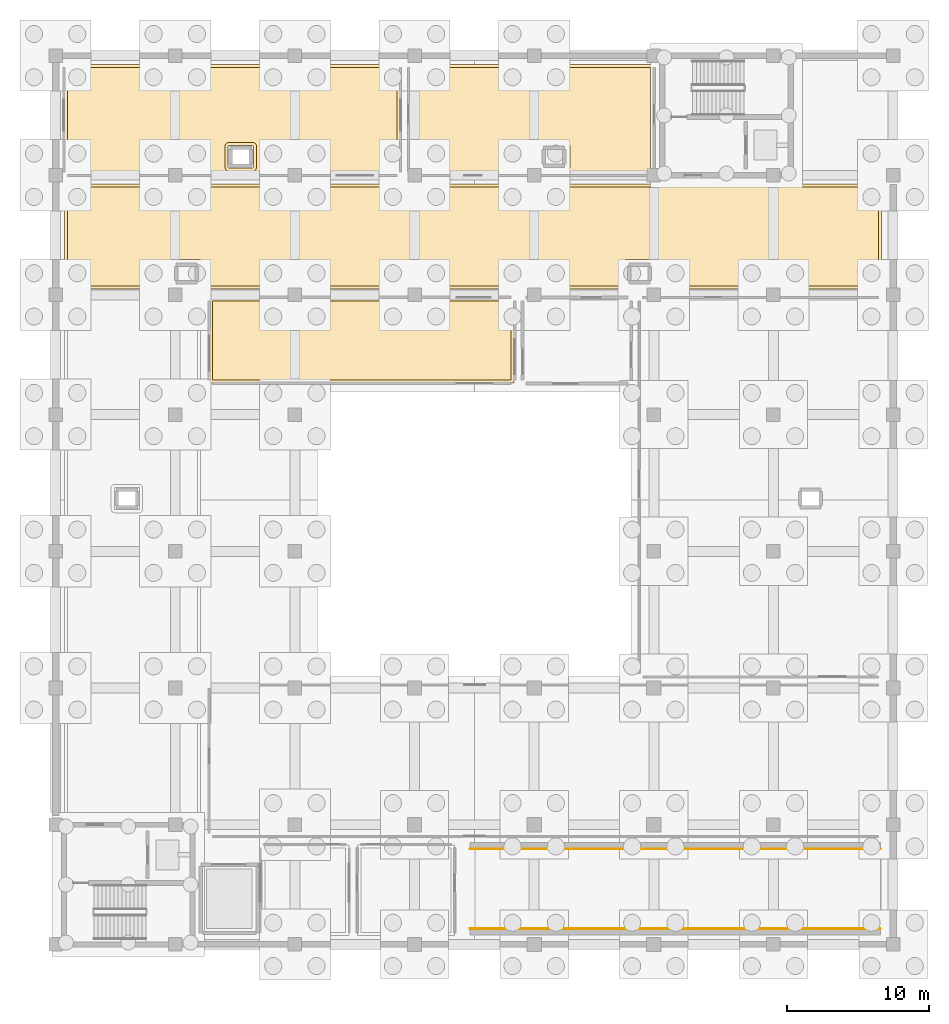
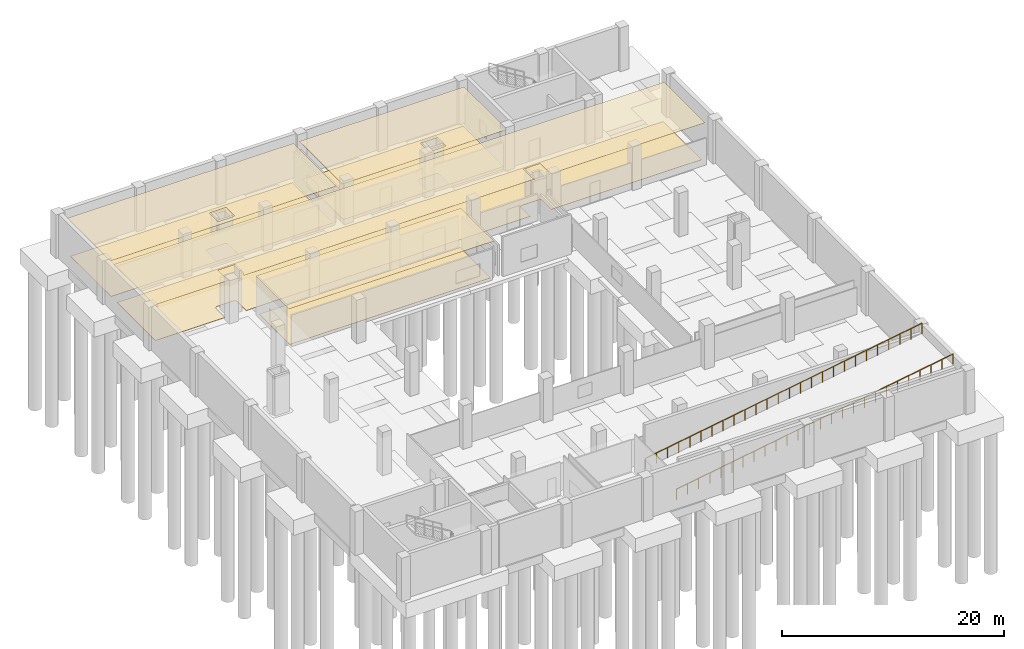
# One storey, part 10 of 12: 8 coverings, 2 railings.
"""IFC4 building model written with IfcOpenShell, lengths in metres."""

from ifc_helpers import new_model, si_unit, direction, frame, origin, origin_2d, place, context, subcontext, project, spatial, polyline, circle, outline, extrude, material, layer, layer_set, type_object, element, save


model = new_model("IFC4")

# Units and contexts
model_context = context("Model", 3, precision=1e-05, world=origin(), true_north=direction((0.0, 1.0)))
body_context = subcontext(model_context, "Body", "Model", "MODEL_VIEW")
ifc_project = project(units=[si_unit("LENGTHUNIT", "METRE"), si_unit("AREAUNIT", "SQUARE_METRE"), si_unit("VOLUMEUNIT", "CUBIC_METRE"), si_unit("PLANEANGLEUNIT", "RADIAN"), si_unit("MASSUNIT", "GRAM", prefix="KILO")], contexts=[model_context])

# Site, building, storey
site_placement = place(None, origin())
site = spatial("IfcSite", under=ifc_project, at=site_placement, CompositionType="ELEMENT")
building_placement = place(site_placement, origin())
building = spatial("IfcBuilding", under=site, at=building_placement, Name="Zulmaris Art Gallery", CompositionType="ELEMENT")
storey_placement = place(building_placement, frame((0.0, 0.0, -4.800048828125)))
storey = spatial("IfcBuildingStorey", under=building, at=storey_placement, Name="B1", CompositionType="ELEMENT", Elevation=-4.800048828125)

# Coverings
ifc_material_1 = material(Name="Micro-Perforated Gypsum Acoustic Ceiling", Category="gypsum")
ifc_layer_1 = layer(ifc_material_1, 0.02490234375)
ifc_layer_set_1 = layer_set([ifc_layer_1], Name="Micro-Perforated Gypsum Acoustic Ceiling")
covering_type_1 = type_object("IfcCoveringType", Name="COV-CL01", PredefinedType="CEILING", material=ifc_layer_set_1)
covering_1_placement = place(storey_placement, frame((0.0, 0.0, 4.130126953125)))
element("IfcCovering", 1, at=covering_1_placement, inside=storey, type_object=covering_type_1, Name="Basement North Core Corridor acoustic ceiling", PredefinedType="CEILING", context=body_context, shape_type="SweptSolid", body=[
    extrude(outline(polyline([(199.590087890625, 66.590087890625), (199.590087890625, 59.2099609375), (183.28076171875, 59.2099609375), (183.476318359375, 59.535888671875), (183.4775390625, 59.53857421875), (183.478515625, 59.54150390625), (183.479248046875, 59.544189453125), (183.4794921875, 59.547119140625), (183.47998046875, 59.555419921875), (183.47998046875, 61.044677734375), (183.4794921875, 61.052978515625), (183.479248046875, 61.055908203125), (183.478515625, 61.05859375), (183.4775390625, 61.061279296875), (183.476318359375, 61.06396484375), (183.474609375, 61.06640625), (183.472900390625, 61.06884765625), (183.470947265625, 61.071044921875), (183.468994140625, 61.072998046875), (183.466552734375, 61.07470703125), (183.464111328125, 61.076171875), (183.46142578125, 61.077392578125), (183.45849609375, 61.07861328125), (183.455810546875, 61.0791015625), (183.452880859375, 61.07958984375), (183.444580078125, 61.080078125), (181.75537109375, 61.080078125), (181.7470703125, 61.07958984375), (181.744140625, 61.0791015625), (181.741455078125, 61.07861328125), (181.738525390625, 61.077392578125), (181.736083984375, 61.076171875), (181.7333984375, 61.07470703125), (181.731201171875, 61.072998046875), (181.72900390625, 61.071044921875), (181.72705078125, 61.06884765625), (181.725341796875, 61.06640625), (181.723876953125, 61.06396484375), (181.722412109375, 61.061279296875), (181.721435546875, 61.05859375), (181.720703125, 61.055908203125), (181.720458984375, 61.052978515625), (181.719970703125, 61.044677734375), (181.719970703125, 59.555419921875), (181.720458984375, 59.547119140625), (181.720703125, 59.544189453125), (181.721435546875, 59.54150390625), (181.722412109375, 59.53857421875), (181.723876953125, 59.535888671875), (181.919189453125, 59.2099609375), (151.480712890625, 59.2099609375), (151.67626953125, 59.535888671875), (151.677490234375, 59.53857421875), (151.678466796875, 59.54150390625), (151.67919921875, 59.544189453125), (151.6796875, 59.547119140625), (151.679931640625, 59.555419921875), (151.679931640625, 61.044677734375), (151.6796875, 61.052978515625), (151.67919921875, 61.055908203125), (151.678466796875, 61.05859375), (151.677490234375, 61.061279296875), (151.67626953125, 61.06396484375), (151.6748046875, 61.06640625), (151.673095703125, 61.06884765625), (151.6708984375, 61.071044921875), (151.6689453125, 61.072998046875), (151.66650390625, 61.07470703125), (151.6640625, 61.076171875), (151.661376953125, 61.077392578125), (151.65869140625, 61.07861328125), (151.65576171875, 61.0791015625), (151.65283203125, 61.07958984375), (151.64453125, 61.080078125), (149.955322265625, 61.080078125), (149.947021484375, 61.07958984375), (149.944091796875, 61.0791015625), (149.94140625, 61.07861328125), (149.938720703125, 61.077392578125), (149.93603515625, 61.076171875), (149.93359375, 61.07470703125), (149.93115234375, 61.072998046875), (149.928955078125, 61.071044921875), (149.927001953125, 61.06884765625), (149.92529296875, 61.06640625), (149.923828125, 61.06396484375), (149.922607421875, 61.061279296875), (149.92138671875, 61.05859375), (149.9208984375, 61.055908203125), (149.92041015625, 61.052978515625), (149.919921875, 61.044677734375), (149.919921875, 59.555419921875), (149.92041015625, 59.547119140625), (149.9208984375, 59.544189453125), (149.92138671875, 59.54150390625), (149.922607421875, 59.53857421875), (149.923828125, 59.535888671875), (150.119140625, 59.2099609375), (142.2099609375, 59.2099609375), (142.2099609375, 66.590087890625), (199.590087890625, 66.590087890625)])), origin(), (0.0, 0.0, 1.0), 0.030029296875),
])
covering_2_placement = place(storey_placement, frame((0.0, 0.0, 4.130126953125)))
element("IfcCovering", 2, at=covering_2_placement, inside=storey, type_object=covering_type_1, Name="Climate-Controlled Art Store 1 acoustic ceiling", PredefinedType="CEILING", context=body_context, shape_type="SweptSolid", body=[
    extrude(outline(polyline([(142.2099609375, 74.989990234375), (165.7900390625, 74.989990234375), (165.7900390625, 67.2099609375), (142.2099609375, 67.2099609375), (142.2099609375, 74.989990234375)]), holes=[polyline([(153.721435546875, 67.741455078125), (153.722412109375, 67.738525390625), (153.723876953125, 67.736083984375), (153.725341796875, 67.7333984375), (153.72705078125, 67.731201171875), (153.72900390625, 67.72900390625), (153.731201171875, 67.72705078125), (153.7333984375, 67.725341796875), (153.736083984375, 67.723876953125), (153.738525390625, 67.722412109375), (153.741455078125, 67.721435546875), (153.744140625, 67.720703125), (153.7470703125, 67.720458984375), (153.75537109375, 67.719970703125), (155.444580078125, 67.719970703125), (155.452880859375, 67.720458984375), (155.455810546875, 67.720703125), (155.45849609375, 67.721435546875), (155.46142578125, 67.722412109375), (155.464111328125, 67.723876953125), (155.466552734375, 67.725341796875), (155.468994140625, 67.72705078125), (155.470947265625, 67.72900390625), (155.472900390625, 67.731201171875), (155.474609375, 67.7333984375), (155.476318359375, 67.736083984375), (155.4775390625, 67.738525390625), (155.478515625, 67.741455078125), (155.479248046875, 67.744140625), (155.4794921875, 67.7470703125), (155.47998046875, 67.75537109375), (155.47998046875, 69.24462890625), (155.4794921875, 69.2529296875), (155.479248046875, 69.255859375), (155.478515625, 69.258544921875), (155.4775390625, 69.261474609375), (155.476318359375, 69.263916015625), (155.474609375, 69.2666015625), (155.472900390625, 69.268798828125), (155.470947265625, 69.27099609375), (155.468994140625, 69.27294921875), (155.466552734375, 69.274658203125), (155.464111328125, 69.276123046875), (155.46142578125, 69.277587890625), (155.45849609375, 69.278564453125), (155.455810546875, 69.279296875), (155.452880859375, 69.279541015625), (155.444580078125, 69.280029296875), (153.75537109375, 69.280029296875), (153.7470703125, 69.279541015625), (153.744140625, 69.279296875), (153.741455078125, 69.278564453125), (153.738525390625, 69.277587890625), (153.736083984375, 69.276123046875), (153.7333984375, 69.274658203125), (153.731201171875, 69.27294921875), (153.72900390625, 69.27099609375), (153.72705078125, 69.268798828125), (153.725341796875, 69.2666015625), (153.723876953125, 69.263916015625), (153.722412109375, 69.261474609375), (153.721435546875, 69.258544921875), (153.720703125, 69.255859375), (153.720458984375, 69.2529296875), (153.719970703125, 69.24462890625), (153.719970703125, 67.75537109375), (153.720458984375, 67.7470703125), (153.720703125, 67.744140625), (153.721435546875, 67.741455078125)])]), origin(), (0.0, 0.0, 1.0), 0.030029296875),
])
covering_3_placement = place(storey_placement, frame((0.0, 0.0, 4.130126953125)))
element("IfcCovering", 3, at=covering_3_placement, inside=storey, type_object=covering_type_1, Name="Cold Photographic Art Store acoustic ceiling", PredefinedType="CEILING", context=body_context, shape_type="SweptSolid", body=[
    extrude(outline(polyline([(166.409912109375, 74.989990234375), (183.590087890625, 74.989990234375), (183.590087890625, 67.2099609375), (166.409912109375, 67.2099609375), (166.409912109375, 74.989990234375)]), holes=[polyline([(175.741455078125, 69.278564453125), (175.738525390625, 69.277587890625), (175.736083984375, 69.276123046875), (175.7333984375, 69.274658203125), (175.731201171875, 69.27294921875), (175.72900390625, 69.27099609375), (175.72705078125, 69.268798828125), (175.725341796875, 69.2666015625), (175.723876953125, 69.263916015625), (175.722412109375, 69.261474609375), (175.721435546875, 69.258544921875), (175.720703125, 69.255859375), (175.720458984375, 69.2529296875), (175.719970703125, 69.24462890625), (175.719970703125, 67.75537109375), (175.720458984375, 67.7470703125), (175.720703125, 67.744140625), (175.721435546875, 67.741455078125), (175.722412109375, 67.738525390625), (175.723876953125, 67.736083984375), (175.725341796875, 67.7333984375), (175.72705078125, 67.731201171875), (175.72900390625, 67.72900390625), (175.731201171875, 67.72705078125), (175.7333984375, 67.725341796875), (175.736083984375, 67.723876953125), (175.738525390625, 67.722412109375), (175.741455078125, 67.721435546875), (175.744140625, 67.720703125), (175.7470703125, 67.720458984375), (175.75537109375, 67.719970703125), (177.444580078125, 67.719970703125), (177.452880859375, 67.720458984375), (177.455810546875, 67.720703125), (177.45849609375, 67.721435546875), (177.46142578125, 67.722412109375), (177.464111328125, 67.723876953125), (177.466552734375, 67.725341796875), (177.468994140625, 67.72705078125), (177.470947265625, 67.72900390625), (177.472900390625, 67.731201171875), (177.474609375, 67.7333984375), (177.476318359375, 67.736083984375), (177.4775390625, 67.738525390625), (177.478515625, 67.741455078125), (177.479248046875, 67.744140625), (177.4794921875, 67.7470703125), (177.47998046875, 67.75537109375), (177.47998046875, 69.24462890625), (177.4794921875, 69.2529296875), (177.479248046875, 69.255859375), (177.478515625, 69.258544921875), (177.4775390625, 69.261474609375), (177.476318359375, 69.263916015625), (177.474609375, 69.2666015625), (177.472900390625, 69.268798828125), (177.470947265625, 69.27099609375), (177.468994140625, 69.27294921875), (177.466552734375, 69.274658203125), (177.464111328125, 69.276123046875), (177.46142578125, 69.277587890625), (177.45849609375, 69.278564453125), (177.455810546875, 69.279296875), (177.452880859375, 69.279541015625), (177.444580078125, 69.280029296875), (175.75537109375, 69.280029296875), (175.7470703125, 69.279541015625), (175.744140625, 69.279296875), (175.741455078125, 69.278564453125)])]), origin(), (0.0, 0.0, 1.0), 0.030029296875),
])
covering_4_placement = place(storey_placement, frame((0.0, 0.0, 4.130126953125)))
element("IfcCovering", 4, at=covering_4_placement, inside=storey, type_object=covering_type_1, Name="Sculpture Crate Art Store acoustic ceiling", PredefinedType="CEILING", context=body_context, shape_type="SweptSolid", body=[
    extrude(outline(polyline([(152.409912109375, 58.590087890625), (173.7900390625, 58.590087890625), (173.7900390625, 52.610107421875), (152.409912109375, 52.610107421875), (152.409912109375, 58.590087890625)])), origin(), (0.0, 0.0, 1.0), 0.030029296875),
])
ifc_material_2 = material(Name="Honed Omani Limestone Terrazzo Flooring", Category="masonry")
ifc_layer_2 = layer(ifc_material_2, 0.0400390625)
ifc_layer_set_2 = layer_set([ifc_layer_2], Name="Honed Omani Limestone Terrazzo Flooring")
covering_type_2 = type_object("IfcCoveringType", Name="COV-FL01", PredefinedType="FLOORING", material=ifc_layer_set_2)
covering_5_placement = place(storey_placement, origin())
element("IfcCovering", 5, at=covering_5_placement, inside=storey, type_object=covering_type_2, Name="Basement North Core Corridor finish flooring", PredefinedType="FLOORING", context=body_context, shape_type="SweptSolid", body=[
    extrude(outline(polyline([(142.429931640625, 59.429931640625), (142.429931640625, 66.3701171875), (199.3701171875, 66.3701171875), (199.3701171875, 59.429931640625), (183.669189453125, 59.429931640625), (183.67041015625, 59.43212890625), (183.680908203125, 59.454345703125), (183.689208984375, 59.477294921875), (183.6953125, 59.501220703125), (183.69873046875, 59.525390625), (183.699951171875, 59.550048828125), (183.699951171875, 61.050048828125), (183.69873046875, 61.074462890625), (183.6953125, 61.098876953125), (183.689208984375, 61.12255859375), (183.680908203125, 61.145751953125), (183.67041015625, 61.167724609375), (183.657958984375, 61.18896484375), (183.643310546875, 61.20849609375), (183.626708984375, 61.226806640625), (183.608642578125, 61.243408203125), (183.5888671875, 61.2578125), (183.56787109375, 61.2705078125), (183.545654296875, 61.281005859375), (183.522705078125, 61.289306640625), (183.498779296875, 61.295166015625), (183.474609375, 61.298828125), (183.449951171875, 61.300048828125), (181.75, 61.300048828125), (181.7255859375, 61.298828125), (181.701171875, 61.295166015625), (181.677490234375, 61.289306640625), (181.654296875, 61.281005859375), (181.632080078125, 61.2705078125), (181.611083984375, 61.2578125), (181.59130859375, 61.243408203125), (181.5732421875, 61.226806640625), (181.556640625, 61.20849609375), (181.5419921875, 61.18896484375), (181.529541015625, 61.167724609375), (181.51904296875, 61.145751953125), (181.5107421875, 61.12255859375), (181.5048828125, 61.098876953125), (181.501220703125, 61.074462890625), (181.5, 61.050048828125), (181.5, 59.550048828125), (181.501220703125, 59.525390625), (181.5048828125, 59.501220703125), (181.5107421875, 59.477294921875), (181.51904296875, 59.454345703125), (181.529541015625, 59.43212890625), (181.53076171875, 59.429931640625), (151.869140625, 59.429931640625), (151.87060546875, 59.43212890625), (151.881103515625, 59.454345703125), (151.88916015625, 59.477294921875), (151.895263671875, 59.501220703125), (151.898681640625, 59.525390625), (151.89990234375, 59.550048828125), (151.89990234375, 61.050048828125), (151.898681640625, 61.074462890625), (151.895263671875, 61.098876953125), (151.88916015625, 61.12255859375), (151.881103515625, 61.145751953125), (151.87060546875, 61.167724609375), (151.85791015625, 61.18896484375), (151.84326171875, 61.20849609375), (151.826904296875, 61.226806640625), (151.80859375, 61.243408203125), (151.788818359375, 61.2578125), (151.767822265625, 61.2705078125), (151.74560546875, 61.281005859375), (151.72265625, 61.289306640625), (151.69873046875, 61.295166015625), (151.674560546875, 61.298828125), (151.64990234375, 61.300048828125), (149.949951171875, 61.300048828125), (149.925537109375, 61.298828125), (149.901123046875, 61.295166015625), (149.87744140625, 61.289306640625), (149.854248046875, 61.281005859375), (149.832275390625, 61.2705078125), (149.81103515625, 61.2578125), (149.79150390625, 61.243408203125), (149.773193359375, 61.226806640625), (149.756591796875, 61.20849609375), (149.7421875, 61.18896484375), (149.7294921875, 61.167724609375), (149.718994140625, 61.145751953125), (149.710693359375, 61.12255859375), (149.704833984375, 61.098876953125), (149.701171875, 61.074462890625), (149.699951171875, 61.050048828125), (149.699951171875, 59.550048828125), (149.701171875, 59.525390625), (149.704833984375, 59.501220703125), (149.710693359375, 59.477294921875), (149.718994140625, 59.454345703125), (149.7294921875, 59.43212890625), (149.730712890625, 59.429931640625), (142.429931640625, 59.429931640625)])), origin(), (0.0, 0.0, 1.0), 0.03515625),
])
covering_6_placement = place(storey_placement, origin())
element("IfcCovering", 6, at=covering_6_placement, inside=storey, type_object=covering_type_2, Name="Climate-Controlled Art Store 1 finish flooring", PredefinedType="FLOORING", context=body_context, shape_type="SweptSolid", body=[
    extrude(outline(polyline([(165.570068359375, 67.429931640625), (142.429931640625, 67.429931640625), (142.429931640625, 74.77001953125), (165.570068359375, 74.77001953125), (165.570068359375, 67.429931640625)]), holes=[polyline([(153.501220703125, 67.7255859375), (153.5048828125, 67.701171875), (153.5107421875, 67.677490234375), (153.51904296875, 67.654296875), (153.529541015625, 67.632080078125), (153.5419921875, 67.611083984375), (153.556640625, 67.59130859375), (153.5732421875, 67.5732421875), (153.59130859375, 67.556640625), (153.611083984375, 67.5419921875), (153.632080078125, 67.529541015625), (153.654296875, 67.51904296875), (153.677490234375, 67.5107421875), (153.701171875, 67.5048828125), (153.7255859375, 67.501220703125), (153.75, 67.5), (155.449951171875, 67.5), (155.474609375, 67.501220703125), (155.498779296875, 67.5048828125), (155.522705078125, 67.5107421875), (155.545654296875, 67.51904296875), (155.56787109375, 67.529541015625), (155.5888671875, 67.5419921875), (155.608642578125, 67.556640625), (155.626708984375, 67.5732421875), (155.643310546875, 67.59130859375), (155.657958984375, 67.611083984375), (155.67041015625, 67.632080078125), (155.680908203125, 67.654296875), (155.689208984375, 67.677490234375), (155.6953125, 67.701171875), (155.69873046875, 67.7255859375), (155.699951171875, 67.75), (155.699951171875, 69.25), (155.69873046875, 69.2744140625), (155.6953125, 69.298828125), (155.689208984375, 69.322509765625), (155.680908203125, 69.345703125), (155.67041015625, 69.367919921875), (155.657958984375, 69.388916015625), (155.643310546875, 69.40869140625), (155.626708984375, 69.4267578125), (155.608642578125, 69.443359375), (155.5888671875, 69.4580078125), (155.56787109375, 69.470458984375), (155.545654296875, 69.48095703125), (155.522705078125, 69.4892578125), (155.498779296875, 69.4951171875), (155.474609375, 69.498779296875), (155.449951171875, 69.5), (153.75, 69.5), (153.7255859375, 69.498779296875), (153.701171875, 69.4951171875), (153.677490234375, 69.4892578125), (153.654296875, 69.48095703125), (153.632080078125, 69.470458984375), (153.611083984375, 69.4580078125), (153.59130859375, 69.443359375), (153.5732421875, 69.4267578125), (153.556640625, 69.40869140625), (153.5419921875, 69.388916015625), (153.529541015625, 69.367919921875), (153.51904296875, 69.345703125), (153.5107421875, 69.322509765625), (153.5048828125, 69.298828125), (153.501220703125, 69.2744140625), (153.5, 69.25), (153.5, 67.75), (153.501220703125, 67.7255859375)])]), origin(), (0.0, 0.0, 1.0), 0.03515625),
])
covering_7_placement = place(storey_placement, origin())
element("IfcCovering", 7, at=covering_7_placement, inside=storey, type_object=covering_type_2, Name="Cold Photographic Art Store finish flooring", PredefinedType="FLOORING", context=body_context, shape_type="SweptSolid", body=[
    extrude(outline(polyline([(183.3701171875, 67.429931640625), (166.6298828125, 67.429931640625), (166.6298828125, 74.77001953125), (183.3701171875, 74.77001953125), (183.3701171875, 67.429931640625)]), holes=[polyline([(175.7255859375, 69.498779296875), (175.701171875, 69.4951171875), (175.677490234375, 69.4892578125), (175.654296875, 69.48095703125), (175.632080078125, 69.470458984375), (175.611083984375, 69.4580078125), (175.59130859375, 69.443359375), (175.5732421875, 69.4267578125), (175.556640625, 69.40869140625), (175.5419921875, 69.388916015625), (175.529541015625, 69.367919921875), (175.51904296875, 69.345703125), (175.5107421875, 69.322509765625), (175.5048828125, 69.298828125), (175.501220703125, 69.2744140625), (175.5, 69.25), (175.5, 67.75), (175.501220703125, 67.7255859375), (175.5048828125, 67.701171875), (175.5107421875, 67.677490234375), (175.51904296875, 67.654296875), (175.529541015625, 67.632080078125), (175.5419921875, 67.611083984375), (175.556640625, 67.59130859375), (175.5732421875, 67.5732421875), (175.59130859375, 67.556640625), (175.611083984375, 67.5419921875), (175.632080078125, 67.529541015625), (175.654296875, 67.51904296875), (175.677490234375, 67.5107421875), (175.701171875, 67.5048828125), (175.7255859375, 67.501220703125), (175.75, 67.5), (177.449951171875, 67.5), (177.474609375, 67.501220703125), (177.498779296875, 67.5048828125), (177.522705078125, 67.5107421875), (177.545654296875, 67.51904296875), (177.56787109375, 67.529541015625), (177.5888671875, 67.5419921875), (177.608642578125, 67.556640625), (177.626708984375, 67.5732421875), (177.643310546875, 67.59130859375), (177.657958984375, 67.611083984375), (177.67041015625, 67.632080078125), (177.680908203125, 67.654296875), (177.689208984375, 67.677490234375), (177.6953125, 67.701171875), (177.69873046875, 67.7255859375), (177.699951171875, 67.75), (177.699951171875, 69.25), (177.69873046875, 69.2744140625), (177.6953125, 69.298828125), (177.689208984375, 69.322509765625), (177.680908203125, 69.345703125), (177.67041015625, 69.367919921875), (177.657958984375, 69.388916015625), (177.643310546875, 69.40869140625), (177.626708984375, 69.4267578125), (177.608642578125, 69.443359375), (177.5888671875, 69.4580078125), (177.56787109375, 69.470458984375), (177.545654296875, 69.48095703125), (177.522705078125, 69.4892578125), (177.498779296875, 69.4951171875), (177.474609375, 69.498779296875), (177.449951171875, 69.5), (175.75, 69.5), (175.7255859375, 69.498779296875)])]), origin(), (0.0, 0.0, 1.0), 0.03515625),
])
covering_8_placement = place(storey_placement, origin())
element("IfcCovering", 8, at=covering_8_placement, inside=storey, type_object=covering_type_2, Name="Sculpture Crate Art Store finish flooring", PredefinedType="FLOORING", context=body_context, shape_type="SweptSolid", body=[
    extrude(outline(polyline([(173.570068359375, 52.830078125), (152.6298828125, 52.830078125), (152.6298828125, 58.3701171875), (173.570068359375, 58.3701171875), (173.570068359375, 52.830078125)])), origin(), (0.0, 0.0, 1.0), 0.03515625),
])

# Railings
ifc_material_3 = material(Name="Steel S355J2", Category="steel")
ifc_layer_3 = layer(ifc_material_3, 0.050048828125)
ifc_layer_set_3 = layer_set([ifc_layer_3], Name="Steel S355J2")
railing_type = type_object("IfcRailingType", Name="RAIL-STGRD", PredefinedType="GUARDRAIL", material=ifc_layer_set_3)
railing_1_placement = place(storey_placement, frame((170.699951171875, 14.300048828125, 0.0)))
element("IfcRailing", 9, at=railing_1_placement, inside=storey, type_object=railing_type, Name="B1 Vehicle Ramp South Sloped Guard", PredefinedType="GUARDRAIL", context=body_context, shape_type="SweptSolid", body=[
    extrude(circle(Radius=0.02392578125, at=origin_2d()), frame((0.0, 0.0, 1.1357421875), z_axis=(0.986393697838, 0.0, 0.164400343264), x_axis=(0.0, 1.0, 0.0)), (0.0, 0.0, 1.0), 29.197265625),
    extrude(circle(Radius=0.02099609375, at=origin_2d()), origin(), (0.0, 0.0, 1.0), 1.11181640625),
    extrude(circle(Radius=0.02099609375, at=origin_2d()), frame((1.152099609375, 0.0, 0.19189453125)), (0.0, 0.0, 1.0), 1.11181640625),
    extrude(circle(Radius=0.02099609375, at=origin_2d()), frame((2.303955078125, 0.0, 0.384033203125)), (0.0, 0.0, 1.0), 1.11181640625),
    extrude(circle(Radius=0.02099609375, at=origin_2d()), frame((3.4560546875, 0.0, 0.575927734375)), (0.0, 0.0, 1.0), 1.11181640625),
    extrude(circle(Radius=0.02099609375, at=origin_2d()), frame((4.60791015625, 0.0, 0.76806640625)), (0.0, 0.0, 1.0), 1.11181640625),
    extrude(circle(Radius=0.02099609375, at=origin_2d()), frame((5.760009765625, 0.0, 0.9599609375)), (0.0, 0.0, 1.0), 1.11181640625),
    extrude(circle(Radius=0.02099609375, at=origin_2d()), frame((6.912109375, 0.0, 1.152099609375)), (0.0, 0.0, 1.0), 1.11181640625),
    extrude(circle(Radius=0.02099609375, at=origin_2d()), frame((8.06396484375, 0.0, 1.343994140625)), (0.0, 0.0, 1.0), 1.11181640625),
    extrude(circle(Radius=0.02099609375, at=origin_2d()), frame((9.216064453125, 0.0, 1.5361328125)), (0.0, 0.0, 1.0), 1.11181640625),
    extrude(circle(Radius=0.02099609375, at=origin_2d()), frame((10.367919921875, 0.0, 1.72802734375)), (0.0, 0.0, 1.0), 1.11181640625),
    extrude(circle(Radius=0.02099609375, at=origin_2d()), frame((11.52001953125, 0.0, 1.919921875)), (0.0, 0.0, 1.0), 1.11181640625),
    extrude(circle(Radius=0.02099609375, at=origin_2d()), frame((12.672119140625, 0.0, 2.112060546875)), (0.0, 0.0, 1.0), 1.11181640625),
    extrude(circle(Radius=0.02099609375, at=origin_2d()), frame((13.823974609375, 0.0, 2.303955078125)), (0.0, 0.0, 1.0), 1.11181640625),
    extrude(circle(Radius=0.02099609375, at=origin_2d()), frame((14.97607421875, 0.0, 2.49609375)), (0.0, 0.0, 1.0), 1.11181640625),
    extrude(circle(Radius=0.02099609375, at=origin_2d()), frame((16.1279296875, 0.0, 2.68798828125)), (0.0, 0.0, 1.0), 1.11181640625),
    extrude(circle(Radius=0.02099609375, at=origin_2d()), frame((17.280029296875, 0.0, 2.880126953125)), (0.0, 0.0, 1.0), 1.11181640625),
    extrude(circle(Radius=0.02099609375, at=origin_2d()), frame((18.43212890625, 0.0, 3.072021484375)), (0.0, 0.0, 1.0), 1.11181640625),
    extrude(circle(Radius=0.02099609375, at=origin_2d()), frame((19.583984375, 0.0, 3.263916015625)), (0.0, 0.0, 1.0), 1.11181640625),
    extrude(circle(Radius=0.02099609375, at=origin_2d()), frame((20.736083984375, 0.0, 3.4560546875)), (0.0, 0.0, 1.0), 1.11181640625),
    extrude(circle(Radius=0.02099609375, at=origin_2d()), frame((21.887939453125, 0.0, 3.64794921875)), (0.0, 0.0, 1.0), 1.11181640625),
    extrude(circle(Radius=0.02099609375, at=origin_2d()), frame((23.0400390625, 0.0, 3.840087890625)), (0.0, 0.0, 1.0), 1.11181640625),
    extrude(circle(Radius=0.02099609375, at=origin_2d()), frame((24.192138671875, 0.0, 4.031982421875)), (0.0, 0.0, 1.0), 1.11181640625),
    extrude(circle(Radius=0.02099609375, at=origin_2d()), frame((25.343994140625, 0.0, 4.22412109375)), (0.0, 0.0, 1.0), 1.11181640625),
    extrude(circle(Radius=0.02099609375, at=origin_2d()), frame((26.49609375, 0.0, 4.416015625)), (0.0, 0.0, 1.0), 1.11181640625),
    extrude(circle(Radius=0.02099609375, at=origin_2d()), frame((27.64794921875, 0.0, 4.608154296875)), (0.0, 0.0, 1.0), 1.11181640625),
    extrude(circle(Radius=0.02099609375, at=origin_2d()), frame((28.800048828125, 0.0, 4.800048828125)), (0.0, 0.0, 1.0), 1.11181640625),
])
railing_2_placement = place(storey_placement, frame((170.699951171875, 19.89990234375, 0.0)))
element("IfcRailing", 10, at=railing_2_placement, inside=storey, type_object=railing_type, Name="B1 Vehicle Ramp North Sloped Guard", PredefinedType="GUARDRAIL", context=body_context, shape_type="SweptSolid", body=[
    extrude(circle(Radius=0.02392578125, at=origin_2d()), frame((0.0, 0.0, 1.1357421875), z_axis=(0.986393697838, 0.0, 0.164400343264), x_axis=(0.0, 1.0, 0.0)), (0.0, 0.0, 1.0), 29.197265625),
    extrude(circle(Radius=0.02099609375, at=origin_2d()), origin(), (0.0, 0.0, 1.0), 1.11181640625),
    extrude(circle(Radius=0.02099609375, at=origin_2d()), frame((1.152099609375, 0.0, 0.19189453125)), (0.0, 0.0, 1.0), 1.11181640625),
    extrude(circle(Radius=0.02099609375, at=origin_2d()), frame((2.303955078125, 0.0, 0.384033203125)), (0.0, 0.0, 1.0), 1.11181640625),
    extrude(circle(Radius=0.02099609375, at=origin_2d()), frame((3.4560546875, 0.0, 0.575927734375)), (0.0, 0.0, 1.0), 1.11181640625),
    extrude(circle(Radius=0.02099609375, at=origin_2d()), frame((4.60791015625, 0.0, 0.76806640625)), (0.0, 0.0, 1.0), 1.11181640625),
    extrude(circle(Radius=0.02099609375, at=origin_2d()), frame((5.760009765625, 0.0, 0.9599609375)), (0.0, 0.0, 1.0), 1.11181640625),
    extrude(circle(Radius=0.02099609375, at=origin_2d()), frame((6.912109375, 0.0, 1.152099609375)), (0.0, 0.0, 1.0), 1.11181640625),
    extrude(circle(Radius=0.02099609375, at=origin_2d()), frame((8.06396484375, 0.0, 1.343994140625)), (0.0, 0.0, 1.0), 1.11181640625),
    extrude(circle(Radius=0.02099609375, at=origin_2d()), frame((9.216064453125, 0.0, 1.5361328125)), (0.0, 0.0, 1.0), 1.11181640625),
    extrude(circle(Radius=0.02099609375, at=origin_2d()), frame((10.367919921875, 0.0, 1.72802734375)), (0.0, 0.0, 1.0), 1.11181640625),
    extrude(circle(Radius=0.02099609375, at=origin_2d()), frame((11.52001953125, 0.0, 1.919921875)), (0.0, 0.0, 1.0), 1.11181640625),
    extrude(circle(Radius=0.02099609375, at=origin_2d()), frame((12.672119140625, 0.0, 2.112060546875)), (0.0, 0.0, 1.0), 1.11181640625),
    extrude(circle(Radius=0.02099609375, at=origin_2d()), frame((13.823974609375, 0.0, 2.303955078125)), (0.0, 0.0, 1.0), 1.11181640625),
    extrude(circle(Radius=0.02099609375, at=origin_2d()), frame((14.97607421875, 0.0, 2.49609375)), (0.0, 0.0, 1.0), 1.11181640625),
    extrude(circle(Radius=0.02099609375, at=origin_2d()), frame((16.1279296875, 0.0, 2.68798828125)), (0.0, 0.0, 1.0), 1.11181640625),
    extrude(circle(Radius=0.02099609375, at=origin_2d()), frame((17.280029296875, 0.0, 2.880126953125)), (0.0, 0.0, 1.0), 1.11181640625),
    extrude(circle(Radius=0.02099609375, at=origin_2d()), frame((18.43212890625, 0.0, 3.072021484375)), (0.0, 0.0, 1.0), 1.11181640625),
    extrude(circle(Radius=0.02099609375, at=origin_2d()), frame((19.583984375, 0.0, 3.263916015625)), (0.0, 0.0, 1.0), 1.11181640625),
    extrude(circle(Radius=0.02099609375, at=origin_2d()), frame((20.736083984375, 0.0, 3.4560546875)), (0.0, 0.0, 1.0), 1.11181640625),
    extrude(circle(Radius=0.02099609375, at=origin_2d()), frame((21.887939453125, 0.0, 3.64794921875)), (0.0, 0.0, 1.0), 1.11181640625),
    extrude(circle(Radius=0.02099609375, at=origin_2d()), frame((23.0400390625, 0.0, 3.840087890625)), (0.0, 0.0, 1.0), 1.11181640625),
    extrude(circle(Radius=0.02099609375, at=origin_2d()), frame((24.192138671875, 0.0, 4.031982421875)), (0.0, 0.0, 1.0), 1.11181640625),
    extrude(circle(Radius=0.02099609375, at=origin_2d()), frame((25.343994140625, 0.0, 4.22412109375)), (0.0, 0.0, 1.0), 1.11181640625),
    extrude(circle(Radius=0.02099609375, at=origin_2d()), frame((26.49609375, 0.0, 4.416015625)), (0.0, 0.0, 1.0), 1.11181640625),
    extrude(circle(Radius=0.02099609375, at=origin_2d()), frame((27.64794921875, 0.0, 4.608154296875)), (0.0, 0.0, 1.0), 1.11181640625),
    extrude(circle(Radius=0.02099609375, at=origin_2d()), frame((28.800048828125, 0.0, 4.800048828125)), (0.0, 0.0, 1.0), 1.11181640625),
])

save(model, "model.ifc")
